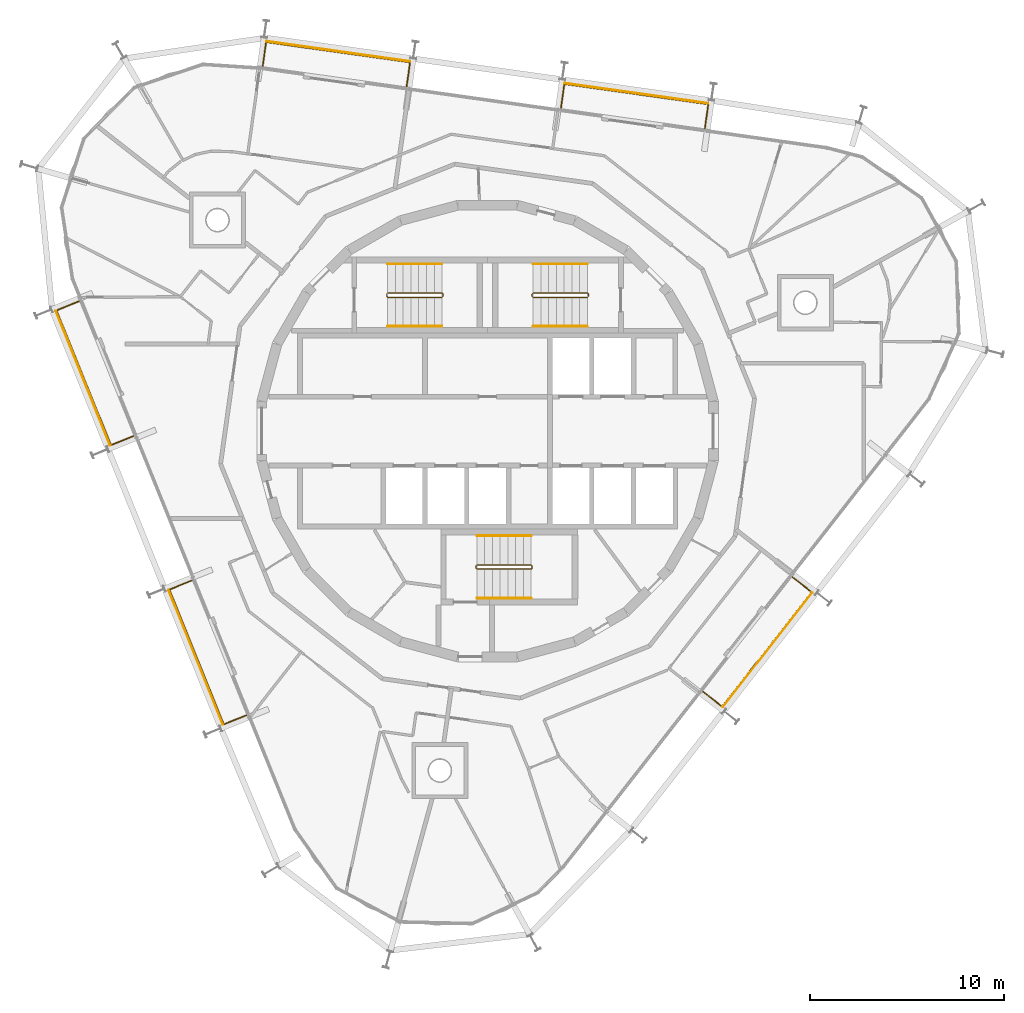
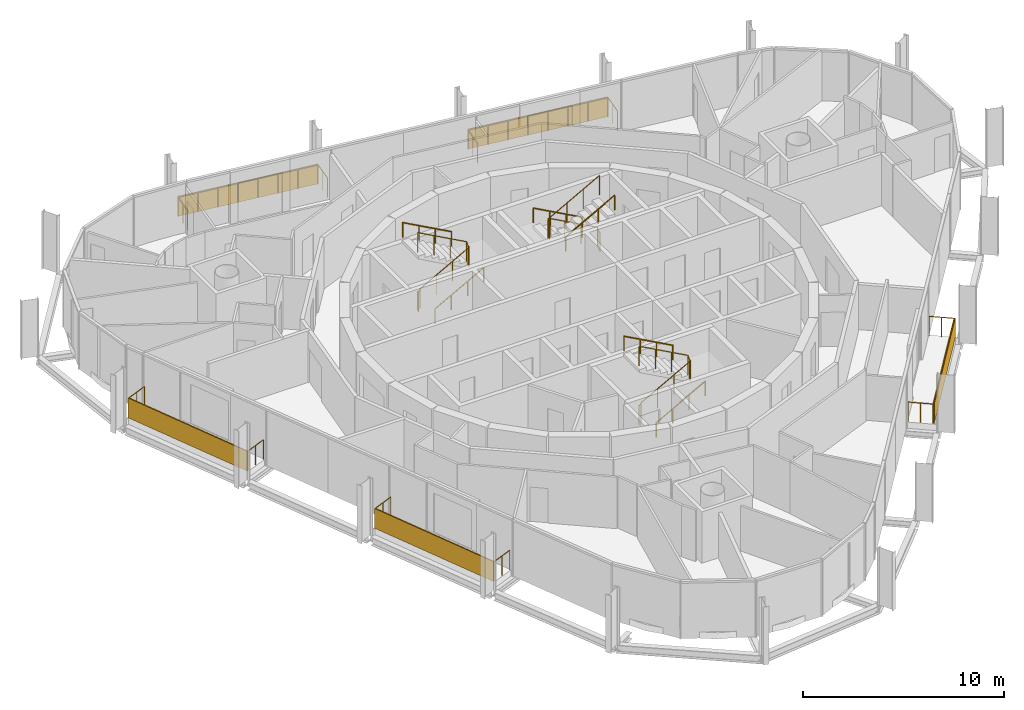
# One storey, part 15 of 15: 14 railings, 5 shading devices.
"""IFC4 building model written with IfcOpenShell, lengths in metres."""

from ifc_helpers import new_model, si_unit, direction, frame, origin, origin_2d, place, context, subcontext, project, spatial, rectangle, circle, extrude, material, layer, layer_set, type_object, element, save


model = new_model("IFC4")

# Units and contexts
model_context = context("Model", 3, precision=1e-05, world=origin(), true_north=direction((0.0, 1.0)))
body_context = subcontext(model_context, "Body", "Model", "MODEL_VIEW")
ifc_project = project(units=[si_unit("LENGTHUNIT", "METRE"), si_unit("AREAUNIT", "SQUARE_METRE"), si_unit("VOLUMEUNIT", "CUBIC_METRE"), si_unit("PLANEANGLEUNIT", "RADIAN"), si_unit("MASSUNIT", "GRAM", prefix="KILO")], contexts=[model_context])

# Site, building, storey
site_placement = place(None, origin())
site = spatial("IfcSite", under=ifc_project, at=site_placement, CompositionType="ELEMENT")
building_placement = place(site_placement, origin())
building = spatial("IfcBuilding", under=site, at=building_placement, Name="Spindle Arch Residences", CompositionType="ELEMENT")
storey_placement = place(building_placement, frame((0.0, 0.0, 336.5)))
storey = spatial("IfcBuildingStorey", under=building, at=storey_placement, Name="L86", CompositionType="ELEMENT", Elevation=336.5)

# Railings
ifc_material_1 = material(Name="Bronze anodised aluminium guard with glass infill", Category="aluminium")
railing_type_1 = type_object("IfcRailingType", Name="Balcony guard 1200", PredefinedType="GUARDRAIL", material=ifc_material_1)
railing_1_placement = place(storey_placement, frame((11.2080078125, 15.62060546875, 0.0)))
element("IfcRailing", 1, at=railing_1_placement, inside=storey, type_object=railing_type_1, Name="Guard L86 bay 6", PredefinedType="GUARDRAIL", context=body_context, shape_type="SweptSolid", body=[
    extrude(circle(Radius=0.02392578125, at=origin_2d()), frame((0.0, 0.0, 1.17578125), z_axis=(0.139069280047, 0.99028265427, 0.0), x_axis=(-0.99028265427, 0.139069280047, 0.0)), (0.0, 0.0, 1.0), 1.25),
    extrude(circle(Radius=0.02392578125, at=origin_2d()), frame((0.173828125, 1.23779296875, 1.17578125), z_axis=(-0.990267453735, 0.139177476887, 0.0), x_axis=(-0.139177476887, -0.990267453735, 0.0)), (0.0, 0.0, 1.0), 7.49560546875),
    extrude(circle(Radius=0.02392578125, at=origin_2d()), frame((-7.248779296875, 2.281005859375, 1.17578125), z_axis=(-0.139260816682, -0.990255737139, 0.0), x_axis=(0.990255737139, -0.139260816682, 0.0)), (0.0, 0.0, 1.0), 1.25),
    extrude(circle(Radius=0.02099609375, at=origin_2d()), origin(), (0.0, 0.0, 1.0), 1.15185546875),
    extrude(circle(Radius=0.02099609375, at=origin_2d()), frame((0.0869140625, 0.618896484375, 0.0)), (0.0, 0.0, 1.0), 1.15185546875),
    extrude(circle(Radius=0.02099609375, at=origin_2d()), frame((0.173828125, 1.23779296875, 0.0)), (0.0, 0.0, 1.0), 1.15185546875),
    extrude(circle(Radius=0.02099609375, at=origin_2d()), frame((-0.886474609375, 1.38671875, 0.0)), (0.0, 0.0, 1.0), 1.15185546875),
    extrude(circle(Radius=0.02099609375, at=origin_2d()), frame((-1.947021484375, 1.535888671875, 0.0)), (0.0, 0.0, 1.0), 1.15185546875),
    extrude(circle(Radius=0.02099609375, at=origin_2d()), frame((-3.00732421875, 1.684814453125, 0.0)), (0.0, 0.0, 1.0), 1.15185546875),
    extrude(circle(Radius=0.02099609375, at=origin_2d()), frame((-4.067626953125, 1.833984375, 0.0)), (0.0, 0.0, 1.0), 1.15185546875),
    extrude(circle(Radius=0.02099609375, at=origin_2d()), frame((-5.1279296875, 1.98291015625, 0.0)), (0.0, 0.0, 1.0), 1.15185546875),
    extrude(circle(Radius=0.02099609375, at=origin_2d()), frame((-6.1884765625, 2.132080078125, 0.0)), (0.0, 0.0, 1.0), 1.15185546875),
    extrude(circle(Radius=0.02099609375, at=origin_2d()), frame((-7.248779296875, 2.281005859375, 0.0)), (0.0, 0.0, 1.0), 1.15185546875),
    extrude(circle(Radius=0.02099609375, at=origin_2d()), frame((-7.3359375, 1.662109375, 0.0)), (0.0, 0.0, 1.0), 1.15185546875),
    extrude(circle(Radius=0.02099609375, at=origin_2d()), frame((-7.4228515625, 1.043212890625, 0.0)), (0.0, 0.0, 1.0), 1.15185546875),
])
railing_2_placement = place(storey_placement, frame((-4.172119140625, 17.7822265625, 0.0)))
element("IfcRailing", 2, at=railing_2_placement, inside=storey, type_object=railing_type_1, Name="Guard L86 bay 8", PredefinedType="GUARDRAIL", context=body_context, shape_type="SweptSolid", body=[
    extrude(circle(Radius=0.02392578125, at=origin_2d()), frame((0.0, 0.0, 1.17578125), z_axis=(0.139260816682, 0.990255737139, 0.0), x_axis=(-0.990255737139, 0.139260816682, 0.0)), (0.0, 0.0, 1.0), 1.25),
    extrude(circle(Radius=0.02392578125, at=origin_2d()), frame((0.174072265625, 1.23779296875, 1.17578125), z_axis=(-0.990268084624, 0.139172987949, 0.0), x_axis=(-0.139172987949, -0.990268084624, 0.0)), (0.0, 0.0, 1.0), 7.495849609375),
    extrude(circle(Radius=0.02392578125, at=origin_2d()), frame((-7.248779296875, 2.281005859375, 1.17578125), z_axis=(-0.13904238586, -0.990286430753, 0.0), x_axis=(0.990286430753, -0.13904238586, 0.0)), (0.0, 0.0, 1.0), 1.250244140625),
    extrude(circle(Radius=0.02099609375, at=origin_2d()), origin(), (0.0, 0.0, 1.0), 1.15185546875),
    extrude(circle(Radius=0.02099609375, at=origin_2d()), frame((0.0869140625, 0.618896484375, 0.0)), (0.0, 0.0, 1.0), 1.15185546875),
    extrude(circle(Radius=0.02099609375, at=origin_2d()), frame((0.174072265625, 1.23779296875, 0.0)), (0.0, 0.0, 1.0), 1.15185546875),
    extrude(circle(Radius=0.02099609375, at=origin_2d()), frame((-0.88623046875, 1.38671875, 0.0)), (0.0, 0.0, 1.0), 1.15185546875),
    extrude(circle(Radius=0.02099609375, at=origin_2d()), frame((-1.94677734375, 1.535888671875, 0.0)), (0.0, 0.0, 1.0), 1.15185546875),
    extrude(circle(Radius=0.02099609375, at=origin_2d()), frame((-3.007080078125, 1.684814453125, 0.0)), (0.0, 0.0, 1.0), 1.15185546875),
    extrude(circle(Radius=0.02099609375, at=origin_2d()), frame((-4.067626953125, 1.833984375, 0.0)), (0.0, 0.0, 1.0), 1.15185546875),
    extrude(circle(Radius=0.02099609375, at=origin_2d()), frame((-5.1279296875, 1.98291015625, 0.0)), (0.0, 0.0, 1.0), 1.15185546875),
    extrude(circle(Radius=0.02099609375, at=origin_2d()), frame((-6.1884765625, 2.132080078125, 0.0)), (0.0, 0.0, 1.0), 1.15185546875),
    extrude(circle(Radius=0.02099609375, at=origin_2d()), frame((-7.248779296875, 2.281005859375, 0.0)), (0.0, 0.0, 1.0), 1.15185546875),
    extrude(circle(Radius=0.02099609375, at=origin_2d()), frame((-7.335693359375, 1.662109375, 0.0)), (0.0, 0.0, 1.0), 1.15185546875),
    extrude(circle(Radius=0.02099609375, at=origin_2d()), frame((-7.422607421875, 1.04296875, 0.0)), (0.0, 0.0, 1.0), 1.15185546875),
])
railing_3_placement = place(storey_placement, frame((-21.071044921875, 6.696044921875, 0.0)))
element("IfcRailing", 3, at=railing_3_placement, inside=storey, type_object=railing_type_1, Name="Guard L86 bay 12", PredefinedType="GUARDRAIL", context=body_context, shape_type="SweptSolid", body=[
    extrude(circle(Radius=0.02392578125, at=origin_2d()), frame((0.0, 0.0, 1.17578125), z_axis=(-0.927205321856, -0.374553455627, 0.0), x_axis=(0.374553455627, -0.927205321856, 0.0)), (0.0, 0.0, 1.0), 1.250244140625),
    extrude(circle(Radius=0.02392578125, at=origin_2d()), frame((-1.1591796875, -0.46826171875, 1.17578125), z_axis=(0.374634298501, -0.927172660504, 0.0), x_axis=(0.927172660504, 0.374634298501, 0.0)), (0.0, 0.0, 1.0), 7.49560546875),
    extrude(circle(Radius=0.02392578125, at=origin_2d()), frame((1.64892578125, -7.41796875, 1.17578125), z_axis=(0.927177918056, 0.374621286461, 0.0), x_axis=(-0.374621286461, 0.927177918056, 0.0)), (0.0, 0.0, 1.0), 1.25),
    extrude(circle(Radius=0.02099609375, at=origin_2d()), origin(), (0.0, 0.0, 1.0), 1.15185546875),
    extrude(circle(Radius=0.02099609375, at=origin_2d()), frame((-0.57958984375, -0.234130859375, 0.0)), (0.0, 0.0, 1.0), 1.15185546875),
    extrude(circle(Radius=0.02099609375, at=origin_2d()), frame((-1.1591796875, -0.46826171875, 0.0)), (0.0, 0.0, 1.0), 1.15185546875),
    extrude(circle(Radius=0.02099609375, at=origin_2d()), frame((-0.758056640625, -1.461181640625, 0.0)), (0.0, 0.0, 1.0), 1.15185546875),
    extrude(circle(Radius=0.02099609375, at=origin_2d()), frame((-0.35693359375, -2.453857421875, 0.0)), (0.0, 0.0, 1.0), 1.15185546875),
    extrude(circle(Radius=0.02099609375, at=origin_2d()), frame((0.044189453125, -3.44677734375, 0.0)), (0.0, 0.0, 1.0), 1.15185546875),
    extrude(circle(Radius=0.02099609375, at=origin_2d()), frame((0.445556640625, -4.439453125, 0.0)), (0.0, 0.0, 1.0), 1.15185546875),
    extrude(circle(Radius=0.02099609375, at=origin_2d()), frame((0.8466796875, -5.432373046875, 0.0)), (0.0, 0.0, 1.0), 1.15185546875),
    extrude(circle(Radius=0.02099609375, at=origin_2d()), frame((1.247802734375, -6.425048828125, 0.0)), (0.0, 0.0, 1.0), 1.15185546875),
    extrude(circle(Radius=0.02099609375, at=origin_2d()), frame((1.64892578125, -7.41796875, 0.0)), (0.0, 0.0, 1.0), 1.15185546875),
    extrude(circle(Radius=0.02099609375, at=origin_2d()), frame((2.228515625, -7.183837890625, 0.0)), (0.0, 0.0, 1.0), 1.15185546875),
    extrude(circle(Radius=0.02099609375, at=origin_2d()), frame((2.807861328125, -6.94970703125, 0.0)), (0.0, 0.0, 1.0), 1.15185546875),
])
railing_4_placement = place(storey_placement, frame((-15.253173828125, -7.7041015625, 0.0)))
element("IfcRailing", 4, at=railing_4_placement, inside=storey, type_object=railing_type_1, Name="Guard L86 bay 14", PredefinedType="GUARDRAIL", context=body_context, shape_type="SweptSolid", body=[
    extrude(circle(Radius=0.02392578125, at=origin_2d()), frame((0.0, 0.0, 1.17578125), z_axis=(-0.927177918056, -0.374621286461, 0.0), x_axis=(0.374621286461, -0.927177918056, 0.0)), (0.0, 0.0, 1.0), 1.25),
    extrude(circle(Radius=0.02392578125, at=origin_2d()), frame((-1.158935546875, -0.46826171875, 1.17578125), z_axis=(0.374594985402, -0.927188544424, 0.0), x_axis=(0.927188544424, 0.374594985402, 0.0)), (0.0, 0.0, 1.0), 7.49560546875),
    extrude(circle(Radius=0.02392578125, at=origin_2d()), frame((1.64892578125, -7.418212890625, 1.17578125), z_axis=(0.927205321856, 0.374553455627, 0.0), x_axis=(-0.374553455627, 0.927205321856, 0.0)), (0.0, 0.0, 1.0), 1.250244140625),
    extrude(circle(Radius=0.02099609375, at=origin_2d()), origin(), (0.0, 0.0, 1.0), 1.15185546875),
    extrude(circle(Radius=0.02099609375, at=origin_2d()), frame((-0.57958984375, -0.234130859375, 0.0)), (0.0, 0.0, 1.0), 1.15185546875),
    extrude(circle(Radius=0.02099609375, at=origin_2d()), frame((-1.158935546875, -0.46826171875, 0.0)), (0.0, 0.0, 1.0), 1.15185546875),
    extrude(circle(Radius=0.02099609375, at=origin_2d()), frame((-0.7578125, -1.461181640625, 0.0)), (0.0, 0.0, 1.0), 1.15185546875),
    extrude(circle(Radius=0.02099609375, at=origin_2d()), frame((-0.356689453125, -2.453857421875, 0.0)), (0.0, 0.0, 1.0), 1.15185546875),
    extrude(circle(Radius=0.02099609375, at=origin_2d()), frame((0.04443359375, -3.44677734375, 0.0)), (0.0, 0.0, 1.0), 1.15185546875),
    extrude(circle(Radius=0.02099609375, at=origin_2d()), frame((0.445556640625, -4.439697265625, 0.0)), (0.0, 0.0, 1.0), 1.15185546875),
    extrude(circle(Radius=0.02099609375, at=origin_2d()), frame((0.8466796875, -5.4326171875, 0.0)), (0.0, 0.0, 1.0), 1.15185546875),
    extrude(circle(Radius=0.02099609375, at=origin_2d()), frame((1.247802734375, -6.42529296875, 0.0)), (0.0, 0.0, 1.0), 1.15185546875),
    extrude(circle(Radius=0.02099609375, at=origin_2d()), frame((1.64892578125, -7.418212890625, 0.0)), (0.0, 0.0, 1.0), 1.15185546875),
    extrude(circle(Radius=0.02099609375, at=origin_2d()), frame((2.228515625, -7.18408203125, 0.0)), (0.0, 0.0, 1.0), 1.15185546875),
    extrude(circle(Radius=0.02099609375, at=origin_2d()), frame((2.80810546875, -6.949951171875, 0.0)), (0.0, 0.0, 1.0), 1.15185546875),
])
railing_5_placement = place(storey_placement, frame((11.111328125, -13.43701171875, 0.0)))
element("IfcRailing", 5, at=railing_5_placement, inside=storey, type_object=railing_type_1, Name="Guard L86 bay 20", PredefinedType="GUARDRAIL", context=body_context, shape_type="SweptSolid", body=[
    extrude(circle(Radius=0.02392578125, at=origin_2d()), frame((0.0, 0.0, 1.17578125), z_axis=(0.787982912033, -0.615697109254, 0.0), x_axis=(0.615697109254, 0.787982912033, 0.0)), (0.0, 0.0, 1.0), 1.249755859375),
    extrude(circle(Radius=0.02392578125, at=origin_2d()), frame((0.98486328125, -0.76953125, 1.17578125), z_axis=(0.615668692597, 0.788005114803, 0.0), x_axis=(-0.788005114803, 0.615668692597, 0.0)), (0.0, 0.0, 1.0), 7.49560546875),
    extrude(circle(Radius=0.02392578125, at=origin_2d()), frame((5.599609375, 5.136962890625, 1.17578125), z_axis=(-0.788056943247, 0.61560235071, 0.0), x_axis=(-0.61560235071, -0.788056943247, 0.0)), (0.0, 0.0, 1.0), 1.25),
    extrude(circle(Radius=0.02099609375, at=origin_2d()), origin(), (0.0, 0.0, 1.0), 1.15185546875),
    extrude(circle(Radius=0.02099609375, at=origin_2d()), frame((0.492431640625, -0.384765625, 0.0)), (0.0, 0.0, 1.0), 1.15185546875),
    extrude(circle(Radius=0.02099609375, at=origin_2d()), frame((0.98486328125, -0.76953125, 0.0)), (0.0, 0.0, 1.0), 1.15185546875),
    extrude(circle(Radius=0.02099609375, at=origin_2d()), frame((1.64404296875, 0.07421875, 0.0)), (0.0, 0.0, 1.0), 1.15185546875),
    extrude(circle(Radius=0.02099609375, at=origin_2d()), frame((2.303466796875, 0.91796875, 0.0)), (0.0, 0.0, 1.0), 1.15185546875),
    extrude(circle(Radius=0.02099609375, at=origin_2d()), frame((2.962646484375, 1.76171875, 0.0)), (0.0, 0.0, 1.0), 1.15185546875),
    extrude(circle(Radius=0.02099609375, at=origin_2d()), frame((3.621826171875, 2.605712890625, 0.0)), (0.0, 0.0, 1.0), 1.15185546875),
    extrude(circle(Radius=0.02099609375, at=origin_2d()), frame((4.281005859375, 3.449462890625, 0.0)), (0.0, 0.0, 1.0), 1.15185546875),
    extrude(circle(Radius=0.02099609375, at=origin_2d()), frame((4.9404296875, 4.293212890625, 0.0)), (0.0, 0.0, 1.0), 1.15185546875),
    extrude(circle(Radius=0.02099609375, at=origin_2d()), frame((5.599609375, 5.136962890625, 0.0)), (0.0, 0.0, 1.0), 1.15185546875),
    extrude(circle(Radius=0.02099609375, at=origin_2d()), frame((5.10693359375, 5.521728515625, 0.0)), (0.0, 0.0, 1.0), 1.15185546875),
    extrude(circle(Radius=0.02099609375, at=origin_2d()), frame((4.614501953125, 5.906494140625, 0.0)), (0.0, 0.0, 1.0), 1.15185546875),
])

# Shading devices
ifc_material_2 = material(Name="Bronze perforated cobogo screen")
ifc_layer = layer(ifc_material_2, 0.0390625)
ifc_layer_set = layer_set([ifc_layer], Name="Cobogo screen 1200")
shading_device_type = type_object("IfcShadingDeviceType", Name="Cobogo screen 1200", PredefinedType="USERDEFINED", material=ifc_layer_set)
for number, where, z_axis, x_axis, name in (
    (6, (7.67626953125, 17.420166015625, 0.0), (0.0, 0.0, 1.0), (-0.990268068742, 0.13917310096, 0.0), "Cobogo screen L86 bay 6"),
    (7, (-7.703857421875, 19.58154296875, 0.0), (0.0, 0.0, 1.0), (-0.990268068742, 0.13917310096, 0.0), "Cobogo screen L86 bay 8"),
    (8, (-20.86376953125, 2.73779296875, 0.0), (0.0, 0.0, 1.0), (0.374606593416, -0.927183854567, 0.0), "Cobogo screen L86 bay 12"),
    (9, (-15.045654296875, -11.662353515625, 0.0), (0.0, 0.0, 1.0), (0.374606593416, -0.927183854567, 0.0), "Cobogo screen L86 bay 14"),
    (10, (14.435546875, -11.2783203125, 0.0), (0.0, 0.0, 1.0), (0.615661475326, 0.788010753607, 0.0), "Cobogo screen L86 bay 20"),
):
    element("IfcShadingDevice", number, at=place(storey_placement, frame(where, z_axis=z_axis, x_axis=x_axis)), inside=storey, type_object=shading_device_type, Name=name, ObjectType="SCREEN", PredefinedType="USERDEFINED", context=body_context, shape_type="SweptSolid", body=[
        extrude(rectangle(XDim=7.49560546875, YDim=0.0390625, at=origin_2d()), origin(), (0.0, 0.0, 1.0), 1.199951171875),
    ])

# Railings
ifc_material_3 = material(Name="Steel, painted", Category="steel")
railing_type_2 = type_object("IfcRailingType", Name="Stair guard 1100", PredefinedType="GUARDRAIL", material=ifc_material_3)
railing_6_placement = place(storey_placement, frame((5.14990234375, 6.89990234375, 3.5)))
element("IfcRailing", 11, at=railing_6_placement, inside=storey, type_object=railing_type_2, Name="L86 ST1 stair guard 1", PredefinedType="GUARDRAIL", context=body_context, shape_type="SweptSolid", body=[
    extrude(circle(Radius=0.02392578125, at=origin_2d()), frame((0.0, 0.0, 1.17578125), z_axis=(-0.877357048833, 0.0, -0.479838106931), x_axis=(0.0, -1.0, 0.0)), (0.0, 0.0, 1.0), 3.191162109375),
    extrude(circle(Radius=0.02392578125, at=origin_2d()), frame((-2.7998046875, 0.0, -0.35546875), z_axis=(-0.217683172539, 0.217683172539, -0.951434744366), x_axis=(-0.707106781187, -0.707106781187, 0.0)), (0.0, 0.0, 1.0), 0.22998046875),
    extrude(circle(Radius=0.02392578125, at=origin_2d()), frame((-2.849853515625, 0.050048828125, -0.57421875), z_axis=(0.0, 1.0, 0.0), x_axis=(-1.0, 0.0, 0.0)), (0.0, 0.0, 1.0), 0.1201171875),
    extrude(circle(Radius=0.02392578125, at=origin_2d()), frame((-2.849853515625, 0.170166015625, -0.57421875), z_axis=(0.707106781187, 0.707106781187, 0.0), x_axis=(-0.707106781187, 0.707106781187, 0.0)), (0.0, 0.0, 1.0), 0.07080078125),
    extrude(circle(Radius=0.02392578125, at=origin_2d()), frame((-2.7998046875, 0.22021484375, -0.57421875), z_axis=(0.877357048833, 0.0, -0.479838106931), x_axis=(0.0, 1.0, 0.0)), (0.0, 0.0, 1.0), 3.191162109375),
    extrude(circle(Radius=0.02392578125, at=origin_2d()), frame((0.0, 0.22021484375, -2.10546875), z_axis=(0.217683172539, -0.217683172539, -0.951434744366), x_axis=(0.707106781187, 0.707106781187, 0.0)), (0.0, 0.0, 1.0), 0.22998046875),
    extrude(circle(Radius=0.02392578125, at=origin_2d()), frame((0.050048828125, 0.170166015625, -2.32421875), z_axis=(0.0, -1.0, 0.0), x_axis=(1.0, 0.0, 0.0)), (0.0, 0.0, 1.0), 0.1201171875),
    extrude(circle(Radius=0.02099609375, at=origin_2d()), origin(), (0.0, 0.0, 1.0), 1.15185546875),
    extrude(circle(Radius=0.02099609375, at=origin_2d()), frame((-0.933349609375, 0.0, -0.510498046875)), (0.0, 0.0, 1.0), 1.15185546875),
    extrude(circle(Radius=0.02099609375, at=origin_2d()), frame((-1.866455078125, 0.0, -1.020751953125)), (0.0, 0.0, 1.0), 1.15185546875),
    extrude(circle(Radius=0.02099609375, at=origin_2d()), frame((-2.7998046875, 0.0, -1.53125)), (0.0, 0.0, 1.0), 1.15185546875),
    extrude(circle(Radius=0.02099609375, at=origin_2d()), frame((-2.849853515625, 0.050048828125, -1.75)), (0.0, 0.0, 1.0), 1.15185546875),
    extrude(circle(Radius=0.02099609375, at=origin_2d()), frame((-2.849853515625, 0.170166015625, -1.75)), (0.0, 0.0, 1.0), 1.15185546875),
    extrude(circle(Radius=0.02099609375, at=origin_2d()), frame((-2.7998046875, 0.22021484375, -1.75)), (0.0, 0.0, 1.0), 1.15185546875),
    extrude(circle(Radius=0.02099609375, at=origin_2d()), frame((-1.866455078125, 0.22021484375, -2.260498046875)), (0.0, 0.0, 1.0), 1.15185546875),
    extrude(circle(Radius=0.02099609375, at=origin_2d()), frame((-0.933349609375, 0.22021484375, -2.770751953125)), (0.0, 0.0, 1.0), 1.15185546875),
    extrude(circle(Radius=0.02099609375, at=origin_2d()), frame((0.0, 0.22021484375, -3.28125)), (0.0, 0.0, 1.0), 1.15185546875),
    extrude(circle(Radius=0.02099609375, at=origin_2d()), frame((0.050048828125, 0.170166015625, -3.5)), (0.0, 0.0, 1.0), 1.15185546875),
    extrude(circle(Radius=0.02099609375, at=origin_2d()), frame((0.050048828125, 0.050048828125, -3.5)), (0.0, 0.0, 1.0), 1.15185546875),
])
railing_7_placement = place(storey_placement, frame((-5.14990234375, 7.1201171875, 3.5)))
element("IfcRailing", 12, at=railing_7_placement, inside=storey, type_object=railing_type_2, Name="L86 ST2 stair guard 1", PredefinedType="GUARDRAIL", context=body_context, shape_type="SweptSolid", body=[
    extrude(circle(Radius=0.02392578125, at=origin_2d()), frame((0.0, 0.0, 1.17578125), z_axis=(0.877357048833, 0.0, -0.479838106931), x_axis=(0.0, 1.0, 0.0)), (0.0, 0.0, 1.0), 3.191162109375),
    extrude(circle(Radius=0.02392578125, at=origin_2d()), frame((2.7998046875, 0.0, -0.35546875), z_axis=(0.217683172539, -0.217683172539, -0.951434744366), x_axis=(0.707106781187, 0.707106781187, 0.0)), (0.0, 0.0, 1.0), 0.22998046875),
    extrude(circle(Radius=0.02392578125, at=origin_2d()), frame((2.849853515625, -0.050048828125, -0.57421875), z_axis=(0.0, -1.0, 0.0), x_axis=(1.0, 0.0, 0.0)), (0.0, 0.0, 1.0), 0.1201171875),
    extrude(circle(Radius=0.02392578125, at=origin_2d()), frame((2.849853515625, -0.170166015625, -0.57421875), z_axis=(-0.707106781187, -0.707106781187, 0.0), x_axis=(0.707106781187, -0.707106781187, 0.0)), (0.0, 0.0, 1.0), 0.07080078125),
    extrude(circle(Radius=0.02392578125, at=origin_2d()), frame((2.7998046875, -0.22021484375, -0.57421875), z_axis=(-0.877357048833, 0.0, -0.479838106931), x_axis=(0.0, -1.0, 0.0)), (0.0, 0.0, 1.0), 3.191162109375),
    extrude(circle(Radius=0.02392578125, at=origin_2d()), frame((0.0, -0.22021484375, -2.10546875), z_axis=(-0.217683172539, 0.217683172539, -0.951434744366), x_axis=(-0.707106781187, -0.707106781187, 0.0)), (0.0, 0.0, 1.0), 0.22998046875),
    extrude(circle(Radius=0.02392578125, at=origin_2d()), frame((-0.050048828125, -0.170166015625, -2.32421875), z_axis=(0.0, 1.0, 0.0), x_axis=(-1.0, 0.0, 0.0)), (0.0, 0.0, 1.0), 0.1201171875),
    extrude(circle(Radius=0.02099609375, at=origin_2d()), origin(), (0.0, 0.0, 1.0), 1.15185546875),
    extrude(circle(Radius=0.02099609375, at=origin_2d()), frame((0.933349609375, 0.0, -0.510498046875)), (0.0, 0.0, 1.0), 1.15185546875),
    extrude(circle(Radius=0.02099609375, at=origin_2d()), frame((1.866455078125, 0.0, -1.020751953125)), (0.0, 0.0, 1.0), 1.15185546875),
    extrude(circle(Radius=0.02099609375, at=origin_2d()), frame((2.7998046875, 0.0, -1.53125)), (0.0, 0.0, 1.0), 1.15185546875),
    extrude(circle(Radius=0.02099609375, at=origin_2d()), frame((2.849853515625, -0.050048828125, -1.75)), (0.0, 0.0, 1.0), 1.15185546875),
    extrude(circle(Radius=0.02099609375, at=origin_2d()), frame((2.849853515625, -0.170166015625, -1.75)), (0.0, 0.0, 1.0), 1.15185546875),
    extrude(circle(Radius=0.02099609375, at=origin_2d()), frame((2.7998046875, -0.22021484375, -1.75)), (0.0, 0.0, 1.0), 1.15185546875),
    extrude(circle(Radius=0.02099609375, at=origin_2d()), frame((1.866455078125, -0.22021484375, -2.260498046875)), (0.0, 0.0, 1.0), 1.15185546875),
    extrude(circle(Radius=0.02099609375, at=origin_2d()), frame((0.933349609375, -0.22021484375, -2.770751953125)), (0.0, 0.0, 1.0), 1.15185546875),
    extrude(circle(Radius=0.02099609375, at=origin_2d()), frame((0.0, -0.22021484375, -3.28125)), (0.0, 0.0, 1.0), 1.15185546875),
    extrude(circle(Radius=0.02099609375, at=origin_2d()), frame((-0.050048828125, -0.170166015625, -3.5)), (0.0, 0.0, 1.0), 1.15185546875),
    extrude(circle(Radius=0.02099609375, at=origin_2d()), frame((-0.050048828125, -0.050048828125, -3.5)), (0.0, 0.0, 1.0), 1.15185546875),
])
railing_8_placement = place(storey_placement, frame((-0.550048828125, -6.89990234375, 3.5)))
element("IfcRailing", 13, at=railing_8_placement, inside=storey, type_object=railing_type_2, Name="L86 ST3 stair guard 1", PredefinedType="GUARDRAIL", context=body_context, shape_type="SweptSolid", body=[
    extrude(circle(Radius=0.02392578125, at=origin_2d()), frame((0.0, 0.0, 1.17578125), z_axis=(0.877374661878, 0.0, -0.479805901063), x_axis=(0.0, 1.0, 0.0)), (0.0, 0.0, 1.0), 3.19140625),
    extrude(circle(Radius=0.02392578125, at=origin_2d()), frame((2.800048828125, 0.0, -0.35546875), z_axis=(0.217683172539, -0.217683172539, -0.951434744366), x_axis=(0.707106781187, 0.707106781187, 0.0)), (0.0, 0.0, 1.0), 0.22998046875),
    extrude(circle(Radius=0.02392578125, at=origin_2d()), frame((2.85009765625, -0.050048828125, -0.57421875), z_axis=(0.0, -1.0, 0.0), x_axis=(1.0, 0.0, 0.0)), (0.0, 0.0, 1.0), 0.1201171875),
    extrude(circle(Radius=0.02392578125, at=origin_2d()), frame((2.85009765625, -0.170166015625, -0.57421875), z_axis=(-0.707106781187, -0.707106781187, 0.0), x_axis=(0.707106781187, -0.707106781187, 0.0)), (0.0, 0.0, 1.0), 0.07080078125),
    extrude(circle(Radius=0.02392578125, at=origin_2d()), frame((2.800048828125, -0.22021484375, -0.57421875), z_axis=(-0.877374661878, 0.0, -0.479805901063), x_axis=(0.0, -1.0, 0.0)), (0.0, 0.0, 1.0), 3.19140625),
    extrude(circle(Radius=0.02392578125, at=origin_2d()), frame((0.0, -0.22021484375, -2.10546875), z_axis=(-0.217683172539, 0.217683172539, -0.951434744366), x_axis=(-0.707106781187, -0.707106781187, 0.0)), (0.0, 0.0, 1.0), 0.22998046875),
    extrude(circle(Radius=0.02392578125, at=origin_2d()), frame((-0.050048828125, -0.170166015625, -2.32421875), z_axis=(0.0, 1.0, 0.0), x_axis=(-1.0, 0.0, 0.0)), (0.0, 0.0, 1.0), 0.1201171875),
    extrude(circle(Radius=0.02099609375, at=origin_2d()), origin(), (0.0, 0.0, 1.0), 1.15185546875),
    extrude(circle(Radius=0.02099609375, at=origin_2d()), frame((0.933349609375, 0.0, -0.510498046875)), (0.0, 0.0, 1.0), 1.15185546875),
    extrude(circle(Radius=0.02099609375, at=origin_2d()), frame((1.86669921875, 0.0, -1.020751953125)), (0.0, 0.0, 1.0), 1.15185546875),
    extrude(circle(Radius=0.02099609375, at=origin_2d()), frame((2.800048828125, 0.0, -1.53125)), (0.0, 0.0, 1.0), 1.15185546875),
    extrude(circle(Radius=0.02099609375, at=origin_2d()), frame((2.85009765625, -0.050048828125, -1.75)), (0.0, 0.0, 1.0), 1.15185546875),
    extrude(circle(Radius=0.02099609375, at=origin_2d()), frame((2.85009765625, -0.170166015625, -1.75)), (0.0, 0.0, 1.0), 1.15185546875),
    extrude(circle(Radius=0.02099609375, at=origin_2d()), frame((2.800048828125, -0.22021484375, -1.75)), (0.0, 0.0, 1.0), 1.15185546875),
    extrude(circle(Radius=0.02099609375, at=origin_2d()), frame((1.86669921875, -0.22021484375, -2.260498046875)), (0.0, 0.0, 1.0), 1.15185546875),
    extrude(circle(Radius=0.02099609375, at=origin_2d()), frame((0.933349609375, -0.22021484375, -2.770751953125)), (0.0, 0.0, 1.0), 1.15185546875),
    extrude(circle(Radius=0.02099609375, at=origin_2d()), frame((0.0, -0.22021484375, -3.28125)), (0.0, 0.0, 1.0), 1.15185546875),
    extrude(circle(Radius=0.02099609375, at=origin_2d()), frame((-0.050048828125, -0.170166015625, -3.5)), (0.0, 0.0, 1.0), 1.15185546875),
    extrude(circle(Radius=0.02099609375, at=origin_2d()), frame((-0.050048828125, -0.050048828125, -3.5)), (0.0, 0.0, 1.0), 1.15185546875),
])
ifc_material_4 = material(Name="Steel, painted", Category="steel")
railing_type_3 = type_object("IfcRailingType", Name="Stair handrail 900", PredefinedType="HANDRAIL", material=ifc_material_4)
railing_9_placement = place(storey_placement, frame((5.14990234375, 8.6201171875, 0.21875)))
element("IfcRailing", 14, at=railing_9_placement, inside=storey, type_object=railing_type_3, Name="L86 ST1 stair handrail 1", PredefinedType="HANDRAIL", context=body_context, shape_type="SweptSolid", body=[
    extrude(circle(Radius=0.02392578125, at=origin_2d()), frame((0.0, 0.0, 0.8759765625), z_axis=(-0.877357048833, 0.0, 0.479838106931), x_axis=(0.0, -1.0, 0.0)), (0.0, 0.0, 1.0), 3.191162109375),
    extrude(circle(Radius=0.02099609375, at=origin_2d()), origin(), (0.0, 0.0, 1.0), 0.851806640625),
    extrude(circle(Radius=0.02099609375, at=origin_2d()), frame((-0.933349609375, 0.0, 0.510498046875)), (0.0, 0.0, 1.0), 0.851806640625),
    extrude(circle(Radius=0.02099609375, at=origin_2d()), frame((-1.866455078125, 0.0, 1.020751953125)), (0.0, 0.0, 1.0), 0.851806640625),
    extrude(circle(Radius=0.02099609375, at=origin_2d()), frame((-2.7998046875, 0.0, 1.53125)), (0.0, 0.0, 1.0), 0.851806640625),
])
for number, where, name in (
    (15, (2.35009765625, 5.39990234375, 1.96875), "L86 ST1 stair handrail 2"),
    (16, (-5.14990234375, 5.39990234375, 0.21875), "L86 ST2 stair handrail 1"),
):
    element("IfcRailing", number, at=place(storey_placement, frame(where)), inside=storey, type_object=railing_type_3, Name=name, PredefinedType="HANDRAIL", context=body_context, shape_type="SweptSolid", body=[
        extrude(circle(Radius=0.02392578125, at=origin_2d()), frame((0.0, 0.0, 0.8759765625), z_axis=(0.877357048833, 0.0, 0.479838106931), x_axis=(0.0, 1.0, 0.0)), (0.0, 0.0, 1.0), 3.191162109375),
        extrude(circle(Radius=0.02099609375, at=origin_2d()), origin(), (0.0, 0.0, 1.0), 0.851806640625),
        extrude(circle(Radius=0.02099609375, at=origin_2d()), frame((0.933349609375, 0.0, 0.510498046875)), (0.0, 0.0, 1.0), 0.851806640625),
        extrude(circle(Radius=0.02099609375, at=origin_2d()), frame((1.866455078125, 0.0, 1.020751953125)), (0.0, 0.0, 1.0), 0.851806640625),
        extrude(circle(Radius=0.02099609375, at=origin_2d()), frame((2.7998046875, 0.0, 1.53125)), (0.0, 0.0, 1.0), 0.851806640625),
    ])
railing_10_placement = place(storey_placement, frame((-2.35009765625, 8.6201171875, 1.96875)))
element("IfcRailing", 17, at=railing_10_placement, inside=storey, type_object=railing_type_3, Name="L86 ST2 stair handrail 2", PredefinedType="HANDRAIL", context=body_context, shape_type="SweptSolid", body=[
    extrude(circle(Radius=0.02392578125, at=origin_2d()), frame((0.0, 0.0, 0.8759765625), z_axis=(-0.877357048833, 0.0, 0.479838106931), x_axis=(0.0, -1.0, 0.0)), (0.0, 0.0, 1.0), 3.191162109375),
    extrude(circle(Radius=0.02099609375, at=origin_2d()), origin(), (0.0, 0.0, 1.0), 0.851806640625),
    extrude(circle(Radius=0.02099609375, at=origin_2d()), frame((-0.933349609375, 0.0, 0.510498046875)), (0.0, 0.0, 1.0), 0.851806640625),
    extrude(circle(Radius=0.02099609375, at=origin_2d()), frame((-1.866455078125, 0.0, 1.020751953125)), (0.0, 0.0, 1.0), 0.851806640625),
    extrude(circle(Radius=0.02099609375, at=origin_2d()), frame((-2.7998046875, 0.0, 1.53125)), (0.0, 0.0, 1.0), 0.851806640625),
])
railing_11_placement = place(storey_placement, frame((-0.550048828125, -8.6201171875, 0.21875)))
element("IfcRailing", 18, at=railing_11_placement, inside=storey, type_object=railing_type_3, Name="L86 ST3 stair handrail 1", PredefinedType="HANDRAIL", context=body_context, shape_type="SweptSolid", body=[
    extrude(circle(Radius=0.02392578125, at=origin_2d()), frame((0.0, 0.0, 0.8759765625), z_axis=(0.877374661878, 0.0, 0.479805901063), x_axis=(0.0, 1.0, 0.0)), (0.0, 0.0, 1.0), 3.19140625),
    extrude(circle(Radius=0.02099609375, at=origin_2d()), origin(), (0.0, 0.0, 1.0), 0.851806640625),
    extrude(circle(Radius=0.02099609375, at=origin_2d()), frame((0.933349609375, 0.0, 0.510498046875)), (0.0, 0.0, 1.0), 0.851806640625),
    extrude(circle(Radius=0.02099609375, at=origin_2d()), frame((1.86669921875, 0.0, 1.020751953125)), (0.0, 0.0, 1.0), 0.851806640625),
    extrude(circle(Radius=0.02099609375, at=origin_2d()), frame((2.800048828125, 0.0, 1.53125)), (0.0, 0.0, 1.0), 0.851806640625),
])
railing_12_placement = place(storey_placement, frame((2.25, -5.39990234375, 1.96875)))
element("IfcRailing", 19, at=railing_12_placement, inside=storey, type_object=railing_type_3, Name="L86 ST3 stair handrail 2", PredefinedType="HANDRAIL", context=body_context, shape_type="SweptSolid", body=[
    extrude(circle(Radius=0.02392578125, at=origin_2d()), frame((0.0, 0.0, 0.8759765625), z_axis=(-0.877374661878, 0.0, 0.479805901063), x_axis=(0.0, -1.0, 0.0)), (0.0, 0.0, 1.0), 3.19140625),
    extrude(circle(Radius=0.02099609375, at=origin_2d()), origin(), (0.0, 0.0, 1.0), 0.851806640625),
    extrude(circle(Radius=0.02099609375, at=origin_2d()), frame((-0.933349609375, 0.0, 0.510498046875)), (0.0, 0.0, 1.0), 0.851806640625),
    extrude(circle(Radius=0.02099609375, at=origin_2d()), frame((-1.86669921875, 0.0, 1.020751953125)), (0.0, 0.0, 1.0), 0.851806640625),
    extrude(circle(Radius=0.02099609375, at=origin_2d()), frame((-2.800048828125, 0.0, 1.53125)), (0.0, 0.0, 1.0), 0.851806640625),
])

save(model, "model.ifc")
